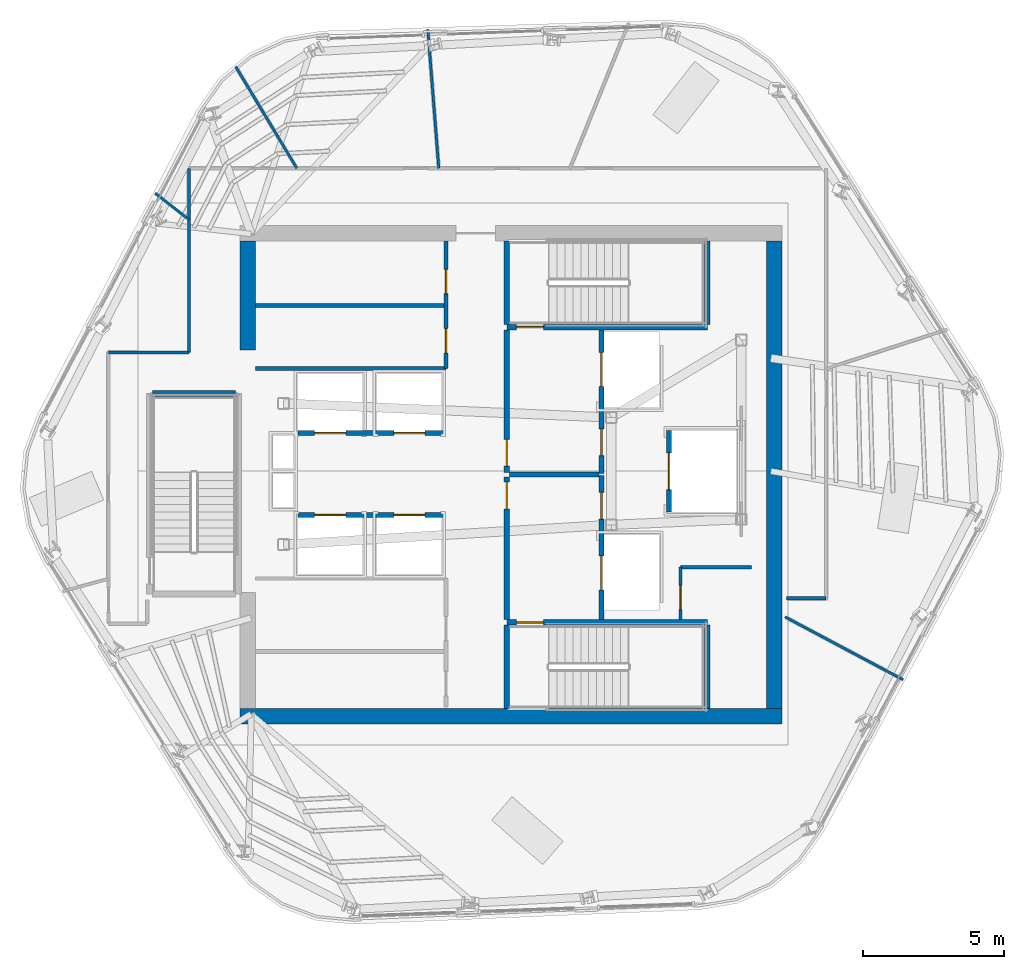
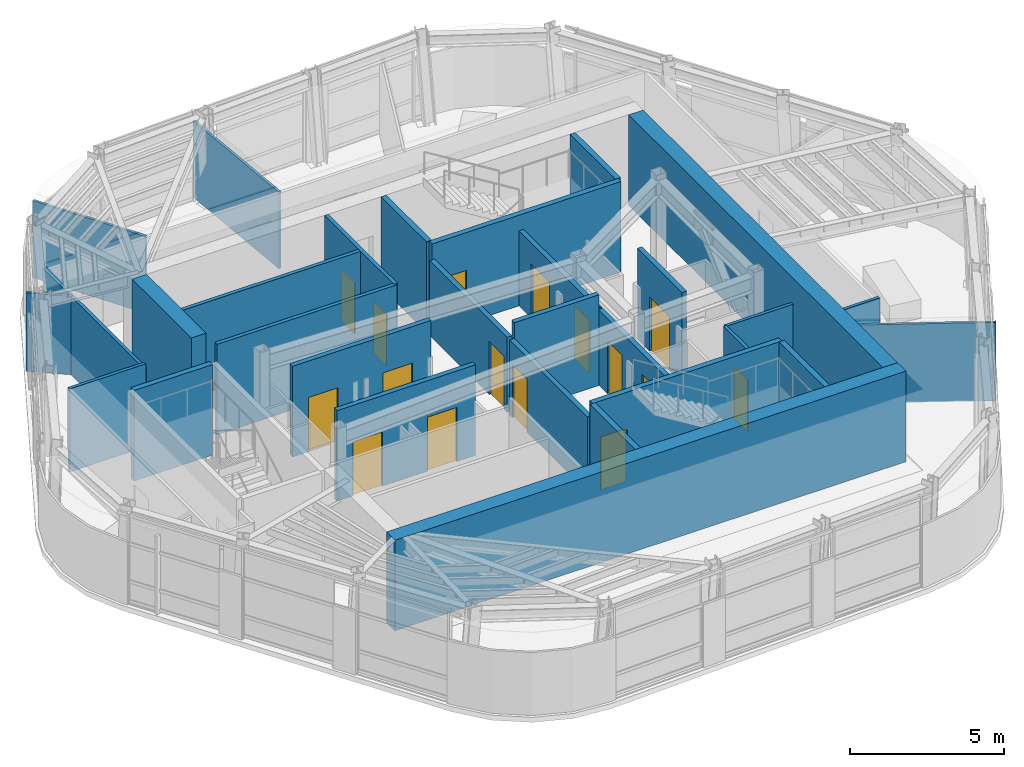
# One storey, part 7 of 13: 30 walls, 16 doors, 16 openings.
"""IFC4 building model written with IfcOpenShell, lengths in metres."""

from ifc_helpers import new_model, si_unit, direction, frame, frame_2d, origin, place, context, subcontext, project, spatial, rectangle, extrude, material, layer, layer_set, type_object, element, fill, save


model = new_model("IFC4")

# Units and contexts
model_context = context("Model", 3, precision=1e-05, world=origin(), true_north=direction((0.0, 1.0)))
body_context = subcontext(model_context, "Body", "Model", "MODEL_VIEW")
ifc_project = project(units=[si_unit("LENGTHUNIT", "METRE"), si_unit("AREAUNIT", "SQUARE_METRE"), si_unit("VOLUMEUNIT", "CUBIC_METRE"), si_unit("PLANEANGLEUNIT", "RADIAN"), si_unit("MASSUNIT", "GRAM", prefix="KILO")], contexts=[model_context])

# Site, building, storey
site_placement = place(None, origin())
site = spatial("IfcSite", under=ifc_project, at=site_placement, CompositionType="ELEMENT")
building_placement = place(site_placement, origin())
building = spatial("IfcBuilding", under=site, at=building_placement, Name="Valkerne Bourse Tower", CompositionType="ELEMENT")
storey_placement = place(building_placement, frame((0.0, 0.0, 292.60009765625)))
storey = spatial("IfcBuildingStorey", under=building, at=storey_placement, Name="L74", CompositionType="ELEMENT", Elevation=292.60009765625)

# Walls
ifc_material_1 = material(Name="Concrete C55/67", Category="concrete")
ifc_layer_1 = layer(ifc_material_1, 0.550048828125)
ifc_layer_set_1 = layer_set([ifc_layer_1], Name="Concrete C55/67")
wall_type_1 = type_object("IfcWallType", Name="W-CORE-550", PredefinedType="SHEAR", material=ifc_layer_set_1)
wall_1_placement = place(storey_placement, frame((37.199951171875, 18.324951171875, 0.0), z_axis=(0.0, 0.0, 1.0), x_axis=(1.0, 0.0, 0.0)))
element("IfcWall", 1, at=wall_1_placement, inside=storey, type_object=wall_type_1, Name="L74 Core Shear Wall SOUTH", PredefinedType="SHEAR", context=body_context, shape_type="SweptSolid", body=[
    extrude(rectangle(XDim=19.199951171875, YDim=0.550048828125, at=frame_2d((9.60009765625, 0.0))), origin(), (0.0, 0.0, 1.0), 3.599853515625),
])
wall_2_placement = place(storey_placement, frame((56.125, 18.60009765625, 0.0), z_axis=(0.0, 0.0, 1.0), x_axis=(0.0, 1.0, 0.0)))
element("IfcWall", 2, at=wall_2_placement, inside=storey, type_object=wall_type_1, Name="L74 Core Shear Wall EAST", PredefinedType="SHEAR", context=body_context, shape_type="SweptSolid", body=[
    extrude(rectangle(XDim=16.5498046875, YDim=0.550048828125, at=frame_2d((8.27490234375, 0.0))), origin(), (0.0, 0.0, 1.0), 3.599853515625),
])
wall_3_placement = place(storey_placement, frame((37.47509765625, 31.300048828125, 0.0), z_axis=(0.0, 0.0, 1.0), x_axis=(0.0, 1.0, 0.0)))
element("IfcWall", 3, at=wall_3_placement, inside=storey, type_object=wall_type_1, Name="L74 Core Shear Wall WEST-N", PredefinedType="SHEAR", context=body_context, shape_type="SweptSolid", body=[
    extrude(rectangle(XDim=3.849853515625, YDim=0.550048828125, at=frame_2d((1.9248046875, 0.0))), origin(), (0.0, 0.0, 1.0), 3.599853515625),
])

# Wall, opening, door
ifc_material_2 = material(Name="Gypsum Board Steel-Stud Partition", Category="steel")
ifc_layer_2 = layer(ifc_material_2, 0.117919921875)
ifc_layer_set_2 = layer_set([ifc_layer_2], Name="Gypsum Board Steel-Stud Partition")
wall_type_2 = type_object("IfcWallType", Name="W-CORR-140", PredefinedType="PARTITIONING", material=ifc_layer_set_2)
wall_4_placement = place(storey_placement, frame((52.800048828125, 21.75, 0.0), z_axis=(0.0, 0.0, 1.0), x_axis=(0.0, 1.0, 0.0)))
wall_4 = element("IfcWall", 4, at=wall_4_placement, inside=storey, type_object=wall_type_2, Name="L74 Core SE South-Bay West Wall", PredefinedType="PARTITIONING", context=body_context, shape_type="SweptSolid", body=[
    extrude(rectangle(XDim=1.85009765625, YDim=0.117919921875, at=frame_2d((0.925048828125, 0.0))), origin(), (0.0, 0.0, 1.0), 3.2998046875),
])
opening_1_placement = place(wall_4_placement, frame((0.35009765625, 0.0, 0.0)))
opening_1 = element("IfcOpeningElement", 5, at=opening_1_placement, cuts=wall_4, Name="Opening D-WC-900", PredefinedType="OPENING", context=body_context, shape_type="SweptSolid", body=[
    extrude(rectangle(XDim=0.860107421875, YDim=2.050048828125, at=frame_2d((0.43017578125, 1.02490234375))), frame((0.0, 0.06884765625, 0.0), z_axis=(0.0, -1.0, 0.0), x_axis=(1.0, 0.0, 0.0)), (0.0, 0.0, 1.0), 0.137939453125),
])
ifc_material_3 = material(Name="Architectural White Oak Timber", Category="wood")
door_type_1 = type_object("IfcDoorType", Name="DR-WC-900", OperationType="NOTDEFINED", PredefinedType="DOOR", material=ifc_material_3)
door_1_placement = place(opening_1_placement, origin())
door_1 = element("IfcDoor", 6, at=door_1_placement, inside=storey, type_object=door_type_1, Name="L74 Janitor Store Door", OperationType="SINGLE_SWING_RIGHT", OverallHeight=2.050048828125, OverallWidth=0.860107421875, PredefinedType="DOOR", context=body_context, shape_type="SweptSolid", body=[
    extrude(rectangle(XDim=0.860107421875, YDim=2.050048828125, at=frame_2d((0.43017578125, 1.02490234375))), frame((0.0, 0.02490234375, 0.0), z_axis=(0.0, -1.0, 0.0), x_axis=(1.0, 0.0, 0.0)), (0.0, 0.0, 1.0), 0.050048828125),
])
fill(opening_1, door_1)

# Walls
wall_5_placement = place(storey_placement, frame((52.800048828125, 23.60009765625, 0.0), z_axis=(0.0, 0.0, 1.0), x_axis=(1.0, 0.0, 0.0)))
element("IfcWall", 7, at=wall_5_placement, inside=storey, type_object=wall_type_2, Name="L74 Core SE South-Bay North Wall", PredefinedType="PARTITIONING", context=body_context, shape_type="SweptSolid", body=[
    extrude(rectangle(XDim=2.52001953125, YDim=0.117919921875, at=frame_2d((1.260009765625, 0.0))), origin(), (0.0, 0.0, 1.0), 3.2998046875),
])
wall_6_placement = place(storey_placement, frame((35.39990234375, 31.199951171875, 0.0), z_axis=(0.0, 0.0, 1.0), x_axis=(0.0, 1.0, 0.0)))
element("IfcWall", 8, at=wall_6_placement, inside=storey, type_object=wall_type_2, Name="L74 Corridor Enclosure Wall", PredefinedType="PARTITIONING", context=body_context, shape_type="SweptSolid", body=[
    extrude(rectangle(XDim=6.52001953125, YDim=0.117919921875, at=frame_2d((3.260009765625, 0.0))), origin(), (0.0, 0.0, 1.0), 3.114990234375),
])
wall_7_placement = place(storey_placement, frame((57.949951171875, 22.5, 0.0), z_axis=(0.0, 0.0, 1.0), x_axis=(-1.0, 0.0, 0.0)))
element("IfcWall", 9, at=wall_7_placement, inside=storey, type_object=wall_type_2, Name="L74 Corridor Enclosure Wall", PredefinedType="PARTITIONING", context=body_context, shape_type="SweptSolid", body=[
    extrude(rectangle(XDim=1.389892578125, YDim=0.117919921875, at=frame_2d((0.69482421875, 0.0))), origin(), (0.0, 0.0, 1.0), 3.2998046875),
])
wall_8_placement = place(storey_placement, frame((32.550048828125, 31.199951171875, 0.0), z_axis=(0.0, 0.0, 1.0), x_axis=(1.0, 0.0, 0.0)))
element("IfcWall", 10, at=wall_8_placement, inside=storey, type_object=wall_type_2, Name="L74 Corridor Enclosure Wall", PredefinedType="PARTITIONING", context=body_context, shape_type="SweptSolid", body=[
    extrude(rectangle(XDim=2.849853515625, YDim=0.117919921875, at=frame_2d((1.4248046875, 0.0))), origin(), (0.0, 0.0, 1.0), 3.2998046875),
])
ifc_material_4 = material(Name="Gypsum Fire-Rated Shaftwall", Category="gypsum")
ifc_layer_3 = layer(ifc_material_4, 0.179931640625)
ifc_layer_set_3 = layer_set([ifc_layer_3], Name="Gypsum Fire-Rated Shaftwall")
wall_type_3 = type_object("IfcWallType", Name="W-FSAE-180", PredefinedType="PARTITIONING", material=ifc_layer_set_3)
wall_9_placement = place(storey_placement, frame((46.739990234375, 26.8798828125, 0.0), z_axis=(0.0, 0.0, 1.0), x_axis=(1.0, 0.0, 0.0)))
element("IfcWall", 11, at=wall_9_placement, inside=storey, type_object=wall_type_3, Name="L74 FSAE-1/2 Lobby Dividing Fire Wall", PredefinedType="PARTITIONING", context=body_context, shape_type="SweptSolid", body=[
    extrude(rectangle(XDim=3.169921875, YDim=0.179931640625, at=frame_2d((1.5849609375, 0.0))), origin(), (0.0, 0.0, 1.0), 3.599853515625),
])

# Wall, opening, door
wall_10_placement = place(storey_placement, frame((46.64990234375, 21.75, 0.0), z_axis=(0.0, 0.0, 1.0), x_axis=(0.0, 1.0, 0.0)))
wall_10 = element("IfcWall", 12, at=wall_10_placement, inside=storey, type_object=wall_type_3, Name="L74 FSAE-1 Lobby West Fire Wall", PredefinedType="PARTITIONING", context=body_context, shape_type="SweptSolid", body=[
    extrude(rectangle(XDim=5.050048828125, YDim=0.179931640625, at=frame_2d((2.52490234375, 0.0))), origin(), (0.0, 0.0, 1.0), 2.977783203125),
])
opening_2_placement = place(wall_10_placement, frame((3.919921875, 0.0, 0.0)))
opening_2 = element("IfcOpeningElement", 13, at=opening_2_placement, cuts=wall_10, Name="Opening D-FS-950", PredefinedType="OPENING", context=body_context, shape_type="SweptSolid", body=[
    extrude(rectangle(XDim=0.949951171875, YDim=2.10009765625, at=frame_2d((0.47509765625, 1.050048828125))), frame((0.0, 0.099853515625, 0.0), z_axis=(0.0, -1.0, 0.0), x_axis=(1.0, 0.0, 0.0)), (0.0, 0.0, 1.0), 0.199951171875),
])
ifc_material_5 = material(Name="Galvanised Painted Steel", Category="steel")
door_type_2 = type_object("IfcDoorType", Name="DR-FSAE-950", OperationType="NOTDEFINED", PredefinedType="DOOR", material=ifc_material_5)
door_2_placement = place(opening_2_placement, origin())
door_2 = element("IfcDoor", 14, at=door_2_placement, inside=storey, type_object=door_type_2, Name="L74 FSAE-1 Hall Link Fire Door", OperationType="SINGLE_SWING_LEFT", OverallHeight=2.10009765625, OverallWidth=0.949951171875, PredefinedType="DOOR", context=body_context, shape_type="SweptSolid", body=[
    extrude(rectangle(XDim=0.949951171875, YDim=2.10009765625, at=frame_2d((0.47509765625, 1.050048828125))), frame((0.0, 0.02490234375, 0.0), z_axis=(0.0, -1.0, 0.0), x_axis=(1.0, 0.0, 0.0)), (0.0, 0.0, 1.0), 0.050048828125),
])
fill(opening_2, door_2)

wall_11_placement = place(storey_placement, frame((46.64990234375, 26.9599609375, 0.0), z_axis=(0.0, 0.0, 1.0), x_axis=(0.0, 1.0, 0.0)))
wall_11 = element("IfcWall", 15, at=wall_11_placement, inside=storey, type_object=wall_type_3, Name="L74 FSAE-2 Lobby West Fire Wall", PredefinedType="PARTITIONING", context=body_context, shape_type="SweptSolid", body=[
    extrude(rectangle(XDim=5.0400390625, YDim=0.179931640625, at=frame_2d((2.52001953125, 0.0))), origin(), (0.0, 0.0, 1.0), 2.977783203125),
])
opening_3_placement = place(wall_11_placement, frame((0.219970703125, 0.0, 0.0)))
opening_3 = element("IfcOpeningElement", 16, at=opening_3_placement, cuts=wall_11, Name="Opening D-FS-950", PredefinedType="OPENING", context=body_context, shape_type="SweptSolid", body=[
    extrude(rectangle(XDim=0.949951171875, YDim=2.10009765625, at=frame_2d((0.47509765625, 1.050048828125))), frame((0.0, 0.099853515625, 0.0), z_axis=(0.0, -1.0, 0.0), x_axis=(1.0, 0.0, 0.0)), (0.0, 0.0, 1.0), 0.199951171875),
])
door_3_placement = place(opening_3_placement, origin())
door_3 = element("IfcDoor", 17, at=door_3_placement, inside=storey, type_object=door_type_2, Name="L74 FSAE-2 Hall Link Fire Door", OperationType="SINGLE_SWING_RIGHT", OverallHeight=2.10009765625, OverallWidth=0.949951171875, PredefinedType="DOOR", context=body_context, shape_type="SweptSolid", body=[
    extrude(rectangle(XDim=0.949951171875, YDim=2.10009765625, at=frame_2d((0.47509765625, 1.050048828125))), frame((0.0, 0.02490234375, 0.0), z_axis=(0.0, -1.0, 0.0), x_axis=(1.0, 0.0, 0.0)), (0.0, 0.0, 1.0), 0.050048828125),
])
fill(opening_3, door_3)

# Wall, openings, doors
wall_12_placement = place(storey_placement, frame((50.0, 21.75, 0.0), z_axis=(0.0, 0.0, 1.0), x_axis=(0.0, 1.0, 0.0)))
wall_12 = element("IfcWall", 18, at=wall_12_placement, inside=storey, type_object=wall_type_3, Name="L74 FSAE-1 Lobby & Shaft Front Wall", PredefinedType="PARTITIONING", context=body_context, shape_type="SweptSolid", body=[
    extrude(rectangle(XDim=5.090087890625, YDim=0.179931640625, at=frame_2d((2.544921875, 0.0))), origin(), (0.0, 0.0, 1.0), 2.977783203125),
])
opening_4_placement = place(wall_12_placement, frame((1.050048828125, 0.0, 0.0)))
opening_4 = element("IfcOpeningElement", 19, at=opening_4_placement, cuts=wall_12, Name="Opening LD-1200", PredefinedType="OPENING", context=body_context, shape_type="SweptSolid", body=[
    extrude(rectangle(XDim=1.199951171875, YDim=2.14990234375, at=frame_2d((0.60009765625, 1.074951171875))), frame((0.0, 0.099853515625, 0.0), z_axis=(0.0, -1.0, 0.0), x_axis=(1.0, 0.0, 0.0)), (0.0, 0.0, 1.0), 0.199951171875),
])
opening_5_placement = place(wall_12_placement, frame((3.550048828125, 0.0, 0.0)))
opening_5 = element("IfcOpeningElement", 20, at=opening_5_placement, cuts=wall_12, Name="Opening D-FS-950", PredefinedType="OPENING", context=body_context, shape_type="SweptSolid", body=[
    extrude(rectangle(XDim=0.949951171875, YDim=2.10009765625, at=frame_2d((0.47509765625, 1.050048828125))), frame((0.0, 0.099853515625, 0.0), z_axis=(0.0, -1.0, 0.0), x_axis=(1.0, 0.0, 0.0)), (0.0, 0.0, 1.0), 0.199951171875),
])
door_4_placement = place(opening_5_placement, origin())
door_4 = element("IfcDoor", 21, at=door_4_placement, inside=storey, type_object=door_type_2, Name="L74 FSAE-1 Lobby Corridor Fire Door", OperationType="SINGLE_SWING_RIGHT", OverallHeight=2.10009765625, OverallWidth=0.949951171875, PredefinedType="DOOR", context=body_context, shape_type="SweptSolid", body=[
    extrude(rectangle(XDim=0.949951171875, YDim=2.10009765625, at=frame_2d((0.47509765625, 1.050048828125))), frame((0.0, 0.02490234375, 0.0), z_axis=(0.0, -1.0, 0.0), x_axis=(1.0, 0.0, 0.0)), (0.0, 0.0, 1.0), 0.050048828125),
])
fill(opening_5, door_4)
ifc_material_6 = material(Name="Stainless Steel AISI 316", Category="steel")
door_type_3 = type_object("IfcDoorType", Name="DR-LIFT-1200", OperationType="DOUBLE_DOOR_SLIDING", PredefinedType="DOOR", material=ifc_material_6)
door_5_placement = place(opening_4_placement, origin())
door_5 = element("IfcDoor", 22, at=door_5_placement, inside=storey, type_object=door_type_3, Name="L74 FSAE-1 Firefighting Lift Landing Door", OperationType="DOUBLE_DOOR_SLIDING", OverallHeight=2.14990234375, OverallWidth=1.199951171875, PredefinedType="DOOR", context=body_context, shape_type="SweptSolid", body=[
    extrude(rectangle(XDim=1.199951171875, YDim=2.14990234375, at=frame_2d((0.60009765625, 1.074951171875))), frame((0.0, 0.02490234375, 0.0), z_axis=(0.0, -1.0, 0.0), x_axis=(1.0, 0.0, 0.0)), (0.0, 0.0, 1.0), 0.050048828125),
])
fill(opening_4, door_5)

wall_13_placement = place(storey_placement, frame((50.0, 26.919921875, 0.0), z_axis=(0.0, 0.0, 1.0), x_axis=(0.0, 1.0, 0.0)))
wall_13 = element("IfcWall", 23, at=wall_13_placement, inside=storey, type_object=wall_type_3, Name="L74 FSAE-2 Lobby & Shaft Front Wall", PredefinedType="PARTITIONING", context=body_context, shape_type="SweptSolid", body=[
    extrude(rectangle(XDim=5.080078125, YDim=0.179931640625, at=frame_2d((2.5400390625, 0.0))), origin(), (0.0, 0.0, 1.0), 2.977783203125),
])
opening_6_placement = place(wall_13_placement, frame((3.080078125, 0.0, 0.0)))
opening_6 = element("IfcOpeningElement", 24, at=opening_6_placement, cuts=wall_13, Name="Opening LD-1200", PredefinedType="OPENING", context=body_context, shape_type="SweptSolid", body=[
    extrude(rectangle(XDim=1.199951171875, YDim=2.14990234375, at=frame_2d((0.60009765625, 1.074951171875))), frame((0.0, 0.099853515625, 0.0), z_axis=(0.0, -1.0, 0.0), x_axis=(1.0, 0.0, 0.0)), (0.0, 0.0, 1.0), 0.199951171875),
])
opening_7_placement = place(wall_13_placement, frame((0.6298828125, 0.0, 0.0)))
opening_7 = element("IfcOpeningElement", 25, at=opening_7_placement, cuts=wall_13, Name="Opening D-FS-950", PredefinedType="OPENING", context=body_context, shape_type="SweptSolid", body=[
    extrude(rectangle(XDim=0.949951171875, YDim=2.10009765625, at=frame_2d((0.47509765625, 1.050048828125))), frame((0.0, 0.099853515625, 0.0), z_axis=(0.0, -1.0, 0.0), x_axis=(1.0, 0.0, 0.0)), (0.0, 0.0, 1.0), 0.199951171875),
])
door_6_placement = place(opening_7_placement, origin())
door_6 = element("IfcDoor", 26, at=door_6_placement, inside=storey, type_object=door_type_2, Name="L74 FSAE-2 Lobby Corridor Fire Door", OperationType="SINGLE_SWING_RIGHT", OverallHeight=2.10009765625, OverallWidth=0.949951171875, PredefinedType="DOOR", context=body_context, shape_type="SweptSolid", body=[
    extrude(rectangle(XDim=0.949951171875, YDim=2.10009765625, at=frame_2d((0.47509765625, 1.050048828125))), frame((0.0, 0.02490234375, 0.0), z_axis=(0.0, -1.0, 0.0), x_axis=(1.0, 0.0, 0.0)), (0.0, 0.0, 1.0), 0.050048828125),
])
fill(opening_7, door_6)
door_7_placement = place(opening_6_placement, origin())
door_7 = element("IfcDoor", 27, at=door_7_placement, inside=storey, type_object=door_type_3, Name="L74 FSAE-2 Firefighting Lift Landing Door", OperationType="DOUBLE_DOOR_SLIDING", OverallHeight=2.14990234375, OverallWidth=1.199951171875, PredefinedType="DOOR", context=body_context, shape_type="SweptSolid", body=[
    extrude(rectangle(XDim=1.199951171875, YDim=2.14990234375, at=frame_2d((0.60009765625, 1.074951171875))), frame((0.0, 0.02490234375, 0.0), z_axis=(0.0, -1.0, 0.0), x_axis=(1.0, 0.0, 0.0)), (0.0, 0.0, 1.0), 0.050048828125),
])
fill(opening_6, door_7)

# Wall, opening, door
ifc_material_7 = material(Name="CMU Blockwork Masonry 200mm", Category="masonry")
ifc_layer_4 = layer(ifc_material_7, 0.179931640625)
ifc_layer_set_4 = layer_set([ifc_layer_4], Name="CMU Blockwork Masonry 200mm")
wall_type_4 = type_object("IfcWallType", Name="W-LFT-180", PredefinedType="SOLIDWALL", material=ifc_layer_set_4)
wall_14_placement = place(storey_placement, frame((52.39990234375, 25.550048828125, 0.0), z_axis=(0.0, 0.0, 1.0), x_axis=(0.0, 1.0, 0.0)))
wall_14 = element("IfcWall", 28, at=wall_14_placement, inside=storey, type_object=wall_type_4, Name="L74 Service Lift SV-1 Front Wall", PredefinedType="SOLIDWALL", context=body_context, shape_type="SweptSolid", body=[
    extrude(rectangle(XDim=2.89990234375, YDim=0.179931640625, at=frame_2d((1.449951171875, 0.0))), origin(), (0.0, 0.0, 1.0), 3.599853515625),
])
opening_8_placement = place(wall_14_placement, frame((0.800048828125, 0.0, 0.0)))
opening_8 = element("IfcOpeningElement", 29, at=opening_8_placement, cuts=wall_14, Name="Opening LD-1300", PredefinedType="OPENING", context=body_context, shape_type="SweptSolid", body=[
    extrude(rectangle(XDim=1.300048828125, YDim=2.14990234375, at=frame_2d((0.64990234375, 1.074951171875))), frame((0.0, 0.099853515625, 0.0), z_axis=(0.0, -1.0, 0.0), x_axis=(1.0, 0.0, 0.0)), (0.0, 0.0, 1.0), 0.199951171875),
])
door_type_4 = type_object("IfcDoorType", Name="DR-LIFT-1300", OperationType="DOUBLE_DOOR_SLIDING", PredefinedType="DOOR", material=ifc_material_6)
door_8_placement = place(opening_8_placement, origin())
door_8 = element("IfcDoor", 30, at=door_8_placement, inside=storey, type_object=door_type_4, Name="L74 Service Lift SV-1 Landing Door", OperationType="DOUBLE_DOOR_SLIDING", OverallHeight=2.14990234375, OverallWidth=1.300048828125, PredefinedType="DOOR", context=body_context, shape_type="SweptSolid", body=[
    extrude(rectangle(XDim=1.300048828125, YDim=2.14990234375, at=frame_2d((0.64990234375, 1.074951171875))), frame((0.0, 0.02490234375, 0.0), z_axis=(0.0, -1.0, 0.0), x_axis=(1.0, 0.0, 0.0)), (0.0, 0.0, 1.0), 0.050048828125),
])
fill(opening_8, door_8)

# Wall, openings, doors
wall_15_placement = place(storey_placement, frame((39.25, 25.449951171875, 0.0), z_axis=(0.0, 0.0, 1.0), x_axis=(1.0, 0.0, 0.0)))
wall_15 = element("IfcWall", 31, at=wall_15_placement, inside=storey, type_object=wall_type_4, Name="L74 High-Zone South Cars Front Wall", PredefinedType="SOLIDWALL", context=body_context, shape_type="SweptSolid", body=[
    extrude(rectangle(XDim=5.199951171875, YDim=0.179931640625, at=frame_2d((2.60009765625, 0.0))), origin(), (0.0, 0.0, 1.0), 3.599853515625),
])
opening_9_placement = place(wall_15_placement, frame((0.60009765625, 0.0, 0.0)))
opening_9 = element("IfcOpeningElement", 32, at=opening_9_placement, cuts=wall_15, Name="Opening LD-1100", PredefinedType="OPENING", context=body_context, shape_type="SweptSolid", body=[
    extrude(rectangle(XDim=1.10009765625, YDim=2.14990234375, at=frame_2d((0.550048828125, 1.074951171875))), frame((0.0, 0.099853515625, 0.0), z_axis=(0.0, -1.0, 0.0), x_axis=(1.0, 0.0, 0.0)), (0.0, 0.0, 1.0), 0.199951171875),
])
opening_10_placement = place(wall_15_placement, frame((3.39990234375, 0.0, 0.0)))
opening_10 = element("IfcOpeningElement", 33, at=opening_10_placement, cuts=wall_15, Name="Opening LD-1100", PredefinedType="OPENING", context=body_context, shape_type="SweptSolid", body=[
    extrude(rectangle(XDim=1.10009765625, YDim=2.14990234375, at=frame_2d((0.550048828125, 1.074951171875))), frame((0.0, 0.099853515625, 0.0), z_axis=(0.0, -1.0, 0.0), x_axis=(1.0, 0.0, 0.0)), (0.0, 0.0, 1.0), 0.199951171875),
])
door_type_5 = type_object("IfcDoorType", Name="DR-LIFT-1100", OperationType="DOUBLE_DOOR_SLIDING", PredefinedType="DOOR", material=ifc_material_6)
door_9_placement = place(opening_9_placement, origin())
door_9 = element("IfcDoor", 34, at=door_9_placement, inside=storey, type_object=door_type_5, Name="L74 Passenger Lift PL-H1 Sliding Landing Door", OperationType="DOUBLE_DOOR_SLIDING", OverallHeight=2.14990234375, OverallWidth=1.10009765625, PredefinedType="DOOR", context=body_context, shape_type="SweptSolid", body=[
    extrude(rectangle(XDim=1.10009765625, YDim=2.14990234375, at=frame_2d((0.550048828125, 1.074951171875))), frame((0.0, 0.02490234375, 0.0), z_axis=(0.0, -1.0, 0.0), x_axis=(1.0, 0.0, 0.0)), (0.0, 0.0, 1.0), 0.050048828125),
])
fill(opening_9, door_9)
door_10_placement = place(opening_10_placement, origin())
door_10 = element("IfcDoor", 35, at=door_10_placement, inside=storey, type_object=door_type_5, Name="L74 Passenger Lift PL-H2 Sliding Landing Door", OperationType="DOUBLE_DOOR_SLIDING", OverallHeight=2.14990234375, OverallWidth=1.10009765625, PredefinedType="DOOR", context=body_context, shape_type="SweptSolid", body=[
    extrude(rectangle(XDim=1.10009765625, YDim=2.14990234375, at=frame_2d((0.550048828125, 1.074951171875))), frame((0.0, 0.02490234375, 0.0), z_axis=(0.0, -1.0, 0.0), x_axis=(1.0, 0.0, 0.0)), (0.0, 0.0, 1.0), 0.050048828125),
])
fill(opening_10, door_10)

wall_16_placement = place(storey_placement, frame((39.25, 28.35009765625, 0.0), z_axis=(0.0, 0.0, 1.0), x_axis=(1.0, 0.0, 0.0)))
wall_16 = element("IfcWall", 36, at=wall_16_placement, inside=storey, type_object=wall_type_4, Name="L74 High-Zone North Cars Front Wall", PredefinedType="SOLIDWALL", context=body_context, shape_type="SweptSolid", body=[
    extrude(rectangle(XDim=5.199951171875, YDim=0.179931640625, at=frame_2d((2.60009765625, 0.0))), origin(), (0.0, 0.0, 1.0), 3.599853515625),
])
opening_11_placement = place(wall_16_placement, frame((0.60009765625, 0.0, 0.0)))
opening_11 = element("IfcOpeningElement", 37, at=opening_11_placement, cuts=wall_16, Name="Opening LD-1100", PredefinedType="OPENING", context=body_context, shape_type="SweptSolid", body=[
    extrude(rectangle(XDim=1.10009765625, YDim=2.14990234375, at=frame_2d((0.550048828125, 1.074951171875))), frame((0.0, 0.099853515625, 0.0), z_axis=(0.0, -1.0, 0.0), x_axis=(1.0, 0.0, 0.0)), (0.0, 0.0, 1.0), 0.199951171875),
])
opening_12_placement = place(wall_16_placement, frame((3.39990234375, 0.0, 0.0)))
opening_12 = element("IfcOpeningElement", 38, at=opening_12_placement, cuts=wall_16, Name="Opening LD-1100", PredefinedType="OPENING", context=body_context, shape_type="SweptSolid", body=[
    extrude(rectangle(XDim=1.10009765625, YDim=2.14990234375, at=frame_2d((0.550048828125, 1.074951171875))), frame((0.0, 0.099853515625, 0.0), z_axis=(0.0, -1.0, 0.0), x_axis=(1.0, 0.0, 0.0)), (0.0, 0.0, 1.0), 0.199951171875),
])
door_11_placement = place(opening_11_placement, origin())
door_11 = element("IfcDoor", 39, at=door_11_placement, inside=storey, type_object=door_type_5, Name="L74 Passenger Lift PL-H3 Sliding Landing Door", OperationType="DOUBLE_DOOR_SLIDING", OverallHeight=2.14990234375, OverallWidth=1.10009765625, PredefinedType="DOOR", context=body_context, shape_type="SweptSolid", body=[
    extrude(rectangle(XDim=1.10009765625, YDim=2.14990234375, at=frame_2d((0.550048828125, 1.074951171875))), frame((0.0, 0.02490234375, 0.0), z_axis=(0.0, -1.0, 0.0), x_axis=(1.0, 0.0, 0.0)), (0.0, 0.0, 1.0), 0.050048828125),
])
fill(opening_11, door_11)
door_12_placement = place(opening_12_placement, origin())
door_12 = element("IfcDoor", 40, at=door_12_placement, inside=storey, type_object=door_type_5, Name="L74 Passenger Lift PL-H4 Sliding Landing Door", OperationType="DOUBLE_DOOR_SLIDING", OverallHeight=2.14990234375, OverallWidth=1.10009765625, PredefinedType="DOOR", context=body_context, shape_type="SweptSolid", body=[
    extrude(rectangle(XDim=1.10009765625, YDim=2.14990234375, at=frame_2d((0.550048828125, 1.074951171875))), frame((0.0, 0.02490234375, 0.0), z_axis=(0.0, -1.0, 0.0), x_axis=(1.0, 0.0, 0.0)), (0.0, 0.0, 1.0), 0.050048828125),
])
fill(opening_12, door_12)

# Walls
ifc_layer_5 = layer(ifc_material_2, 0.092041015625)
ifc_layer_set_5 = layer_set([ifc_layer_5], Name="Gypsum Board Steel-Stud Partition")
wall_type_5 = type_object("IfcWallType", Name="W-PART-115", PredefinedType="PARTITIONING", material=ifc_layer_set_5)
wall_17_placement = place(storey_placement, frame((44.242431640625, 37.72509765625, 0.0), z_axis=(0.0, 0.0, 1.0), x_axis=(-0.078451041098, 0.996917967613, 0.0)))
element("IfcWall", 41, at=wall_17_placement, inside=storey, type_object=wall_type_5, Name="L74 Suite Partition P02", PredefinedType="PARTITIONING", context=body_context, shape_type="SweptSolid", body=[
    extrude(rectangle(XDim=4.92626953125, YDim=0.092041015625, at=frame_2d((2.463134765625, 0.0))), origin(), (0.0, 0.0, 1.0), 3.041259765625),
])
wall_18_placement = place(storey_placement, frame((39.216796875, 37.72509765625, 0.0), z_axis=(0.0, 0.0, 1.0), x_axis=(-0.515068950882, 0.85714874779, 0.0)))
element("IfcWall", 42, at=wall_18_placement, inside=storey, type_object=wall_type_5, Name="L74 Suite Partition P03", PredefinedType="PARTITIONING", context=body_context, shape_type="SweptSolid", body=[
    extrude(rectangle(XDim=4.19580078125, YDim=0.092041015625, at=frame_2d((2.097900390625, 0.0))), origin(), (0.0, 0.0, 1.0), 3.056396484375),
])
wall_19_placement = place(storey_placement, frame((56.5, 21.84228515625, 0.0), z_axis=(0.0, 0.0, 1.0), x_axis=(0.882960146038, -0.469447952929, 0.0)))
element("IfcWall", 43, at=wall_19_placement, inside=storey, type_object=wall_type_5, Name="L74 Suite Partition P04", PredefinedType="PARTITIONING", context=body_context, shape_type="SweptSolid", body=[
    extrude(rectangle(XDim=4.735595703125, YDim=0.092041015625, at=frame_2d((2.36767578125, 0.0))), origin(), (0.0, 0.0, 1.0), 3.114990234375),
])
wall_20_placement = place(storey_placement, frame((35.39501953125, 35.91064453125, 0.0), z_axis=(0.0, 0.0, 1.0), x_axis=(-0.788070936903, 0.615584436457, 0.0)))
element("IfcWall", 44, at=wall_20_placement, inside=storey, type_object=wall_type_5, Name="L74 Suite Partition P06", PredefinedType="PARTITIONING", context=body_context, shape_type="SweptSolid", body=[
    extrude(rectangle(XDim=1.51025390625, YDim=0.092041015625, at=frame_2d((0.755126953125, 0.0))), origin(), (0.0, 0.0, 1.0), 3.114990234375),
])

# Wall, opening, door
ifc_material_8 = material(Name="Concrete C40/50", Category="concrete")
ifc_layer_6 = layer(ifc_material_8, 0.199951171875)
ifc_layer_set_6 = layer_set([ifc_layer_6], Name="Concrete C40/50")
wall_type_6 = type_object("IfcWallType", Name="W-SHF-200", PredefinedType="SHEAR", material=ifc_layer_set_6)
wall_21_placement = place(storey_placement, frame((46.64990234375, 21.64990234375, 0.0), z_axis=(0.0, 0.0, 1.0), x_axis=(1.0, 0.0, 0.0)))
wall_21 = element("IfcWall", 45, at=wall_21_placement, inside=storey, type_object=wall_type_6, Name="L74 Exit Stair ST-1 Structural Shaft Wall North", PredefinedType="SHEAR", context=body_context, shape_type="SweptSolid", body=[
    extrude(rectangle(XDim=7.10009765625, YDim=0.199951171875, at=frame_2d((3.550048828125, 0.0))), origin(), (0.0, 0.0, 1.0), 3.599853515625),
])
opening_13_placement = place(wall_21_placement, frame((0.35009765625, 0.0, 0.0)))
opening_13 = element("IfcOpeningElement", 46, at=opening_13_placement, cuts=wall_21, Name="Opening D-ST-950", PredefinedType="OPENING", context=body_context, shape_type="SweptSolid", body=[
    extrude(rectangle(XDim=0.949951171875, YDim=2.10009765625, at=frame_2d((0.47509765625, 1.050048828125))), frame((0.0, 0.10986328125, 0.0), z_axis=(0.0, -1.0, 0.0), x_axis=(1.0, 0.0, 0.0)), (0.0, 0.0, 1.0), 0.219970703125),
])
door_type_6 = type_object("IfcDoorType", Name="DR-STAIR-950", OperationType="NOTDEFINED", PredefinedType="DOOR", material=ifc_material_5)
door_13_placement = place(opening_13_placement, origin())
door_13 = element("IfcDoor", 47, at=door_13_placement, inside=storey, type_object=door_type_6, Name="L74 Exit Stair ST-1 Door", OperationType="SINGLE_SWING_LEFT", OverallHeight=2.10009765625, OverallWidth=0.949951171875, PredefinedType="DOOR", context=body_context, shape_type="SweptSolid", body=[
    extrude(rectangle(XDim=0.949951171875, YDim=2.10009765625, at=frame_2d((0.47509765625, 1.050048828125))), frame((0.0, 0.02490234375, 0.0), z_axis=(0.0, -1.0, 0.0), x_axis=(1.0, 0.0, 0.0)), (0.0, 0.0, 1.0), 0.050048828125),
])
fill(opening_13, door_13)

# Walls
for number, where, z_axis, x_axis, name in (
    (48, (46.64990234375, 18.60009765625, 0.0), (0.0, 0.0, 1.0), (0.0, 1.0, 0.0), "L74 Exit Stair ST-1 Structural Shaft Wall West"),
    (49, (53.75, 18.60009765625, 0.0), (0.0, 0.0, 1.0), (0.0, 1.0, 0.0), "L74 Exit Stair ST-1 Structural Shaft Wall East"),
):
    element("IfcWall", number, at=place(storey_placement, frame(where, z_axis=z_axis, x_axis=x_axis)), inside=storey, type_object=wall_type_6, Name=name, PredefinedType="SHEAR", context=body_context, shape_type="SweptSolid", body=[
        extrude(rectangle(XDim=2.949951171875, YDim=0.199951171875, at=frame_2d((1.47509765625, 0.0))), origin(), (0.0, 0.0, 1.0), 3.599853515625),
    ])

# Wall, opening, door
wall_22_placement = place(storey_placement, frame((46.64990234375, 32.10009765625, 0.0), z_axis=(0.0, 0.0, 1.0), x_axis=(1.0, 0.0, 0.0)))
wall_22 = element("IfcWall", 50, at=wall_22_placement, inside=storey, type_object=wall_type_6, Name="L74 Exit Stair ST-2 Structural Shaft Wall South", PredefinedType="SHEAR", context=body_context, shape_type="SweptSolid", body=[
    extrude(rectangle(XDim=7.10009765625, YDim=0.199951171875, at=frame_2d((3.550048828125, 0.0))), origin(), (0.0, 0.0, 1.0), 3.599853515625),
])
opening_14_placement = place(wall_22_placement, frame((0.35009765625, 0.0, 0.0)))
opening_14 = element("IfcOpeningElement", 51, at=opening_14_placement, cuts=wall_22, Name="Opening D-ST-950", PredefinedType="OPENING", context=body_context, shape_type="SweptSolid", body=[
    extrude(rectangle(XDim=0.949951171875, YDim=2.10009765625, at=frame_2d((0.47509765625, 1.050048828125))), frame((0.0, 0.10986328125, 0.0), z_axis=(0.0, -1.0, 0.0), x_axis=(1.0, 0.0, 0.0)), (0.0, 0.0, 1.0), 0.219970703125),
])
door_14_placement = place(opening_14_placement, origin())
door_14 = element("IfcDoor", 52, at=door_14_placement, inside=storey, type_object=door_type_6, Name="L74 Exit Stair ST-2 Door", OperationType="SINGLE_SWING_LEFT", OverallHeight=2.10009765625, OverallWidth=0.949951171875, PredefinedType="DOOR", context=body_context, shape_type="SweptSolid", body=[
    extrude(rectangle(XDim=0.949951171875, YDim=2.10009765625, at=frame_2d((0.47509765625, 1.050048828125))), frame((0.0, 0.02490234375, 0.0), z_axis=(0.0, -1.0, 0.0), x_axis=(1.0, 0.0, 0.0)), (0.0, 0.0, 1.0), 0.050048828125),
])
fill(opening_14, door_14)

# Walls
for number, where, z_axis, x_axis, name in (
    (53, (46.64990234375, 32.199951171875, 0.0), (0.0, 0.0, 1.0), (0.0, 1.0, 0.0), "L74 Exit Stair ST-2 Structural Shaft Wall West"),
    (54, (53.75, 32.199951171875, 0.0), (0.0, 0.0, 1.0), (0.0, 1.0, 0.0), "L74 Exit Stair ST-2 Structural Shaft Wall East"),
    (55, (34.10009765625, 29.75, 0.0), (0.0, 0.0, 1.0), (1.0, 0.0, 0.0), "L74 Exit Stair ST-3 Structural Shaft Wall North"),
):
    element("IfcWall", number, at=place(storey_placement, frame(where, z_axis=z_axis, x_axis=x_axis)), inside=storey, type_object=wall_type_6, Name=name, PredefinedType="SHEAR", context=body_context, shape_type="SweptSolid", body=[
        extrude(rectangle(XDim=2.949951171875, YDim=0.199951171875, at=frame_2d((1.47509765625, 0.0))), origin(), (0.0, 0.0, 1.0), 3.599853515625),
    ])

# Wall, openings, doors
ifc_material_9 = material(Name="Moisture-Resistant Gypsum Partition", Category="gypsum")
ifc_layer_7 = layer(ifc_material_9, 0.139892578125)
ifc_layer_set_7 = layer_set([ifc_layer_7], Name="Moisture-Resistant Gypsum Partition")
wall_type_7 = type_object("IfcWallType", Name="W-WET-140", PredefinedType="PARTITIONING", material=ifc_layer_set_7)
wall_23_placement = place(storey_placement, frame((44.5, 30.639892578125, 0.0), z_axis=(0.0, 0.0, 1.0), x_axis=(0.0, 1.0, 0.0)))
wall_23 = element("IfcWall", 56, at=wall_23_placement, inside=storey, type_object=wall_type_7, Name="L74 LV7 Mid-Bank East Wall", PredefinedType="PARTITIONING", context=body_context, shape_type="SweptSolid", body=[
    extrude(rectangle(XDim=4.510009765625, YDim=0.139892578125, at=frame_2d((2.2548828125, 0.0))), origin(), (0.0, 0.0, 1.0), 3.599853515625),
])
opening_15_placement = place(wall_23_placement, frame((0.550048828125, 0.0, 0.0)))
opening_15 = element("IfcOpeningElement", 57, at=opening_15_placement, cuts=wall_23, Name="Opening D-WC-900", PredefinedType="OPENING", context=body_context, shape_type="SweptSolid", body=[
    extrude(rectangle(XDim=0.860107421875, YDim=2.050048828125, at=frame_2d((0.43017578125, 1.02490234375))), frame((0.0, 0.079833984375, 0.0), z_axis=(0.0, -1.0, 0.0), x_axis=(1.0, 0.0, 0.0)), (0.0, 0.0, 1.0), 0.159912109375),
])
opening_16_placement = place(wall_23_placement, frame((2.64990234375, 0.0, 0.0)))
opening_16 = element("IfcOpeningElement", 58, at=opening_16_placement, cuts=wall_23, Name="Opening D-WC-900", PredefinedType="OPENING", context=body_context, shape_type="SweptSolid", body=[
    extrude(rectangle(XDim=0.860107421875, YDim=2.050048828125, at=frame_2d((0.43017578125, 1.02490234375))), frame((0.0, 0.079833984375, 0.0), z_axis=(0.0, -1.0, 0.0), x_axis=(1.0, 0.0, 0.0)), (0.0, 0.0, 1.0), 0.159912109375),
])
door_15_placement = place(opening_15_placement, origin())
door_15 = element("IfcDoor", 59, at=door_15_placement, inside=storey, type_object=door_type_1, Name="L74 Executive Kitchen Door", OperationType="SINGLE_SWING_RIGHT", OverallHeight=2.050048828125, OverallWidth=0.860107421875, PredefinedType="DOOR", context=body_context, shape_type="SweptSolid", body=[
    extrude(rectangle(XDim=0.860107421875, YDim=2.050048828125, at=frame_2d((0.43017578125, 1.02490234375))), frame((0.0, 0.02490234375, 0.0), z_axis=(0.0, -1.0, 0.0), x_axis=(1.0, 0.0, 0.0)), (0.0, 0.0, 1.0), 0.050048828125),
])
fill(opening_15, door_15)
door_16_placement = place(opening_16_placement, origin())
door_16 = element("IfcDoor", 60, at=door_16_placement, inside=storey, type_object=door_type_1, Name="L74 Executive Briefing Office Door", OperationType="SINGLE_SWING_RIGHT", OverallHeight=2.050048828125, OverallWidth=0.860107421875, PredefinedType="DOOR", context=body_context, shape_type="SweptSolid", body=[
    extrude(rectangle(XDim=0.860107421875, YDim=2.050048828125, at=frame_2d((0.43017578125, 1.02490234375))), frame((0.0, 0.02490234375, 0.0), z_axis=(0.0, -1.0, 0.0), x_axis=(1.0, 0.0, 0.0)), (0.0, 0.0, 1.0), 0.050048828125),
])
fill(opening_16, door_16)

# Walls
for number, where, z_axis, x_axis, name in (
    (61, (37.75, 32.8701171875, 0.0), (0.0, 0.0, 1.0), (1.0, 0.0, 0.0), "L74 LV7 Mid-Bank Sub-Divider"),
    (62, (37.75, 30.639892578125, 0.0), (0.0, 0.0, 1.0), (1.0, 0.0, 0.0), "L74 LV7 Mid-Bank South Wall"),
):
    element("IfcWall", number, at=place(storey_placement, frame(where, z_axis=z_axis, x_axis=x_axis)), inside=storey, type_object=wall_type_7, Name=name, PredefinedType="PARTITIONING", context=body_context, shape_type="SweptSolid", body=[
        extrude(rectangle(XDim=6.75, YDim=0.139892578125, at=frame_2d((3.375, 0.0))), origin(), (0.0, 0.0, 1.0), 3.599853515625),
    ])

save(model, "model.ifc")
